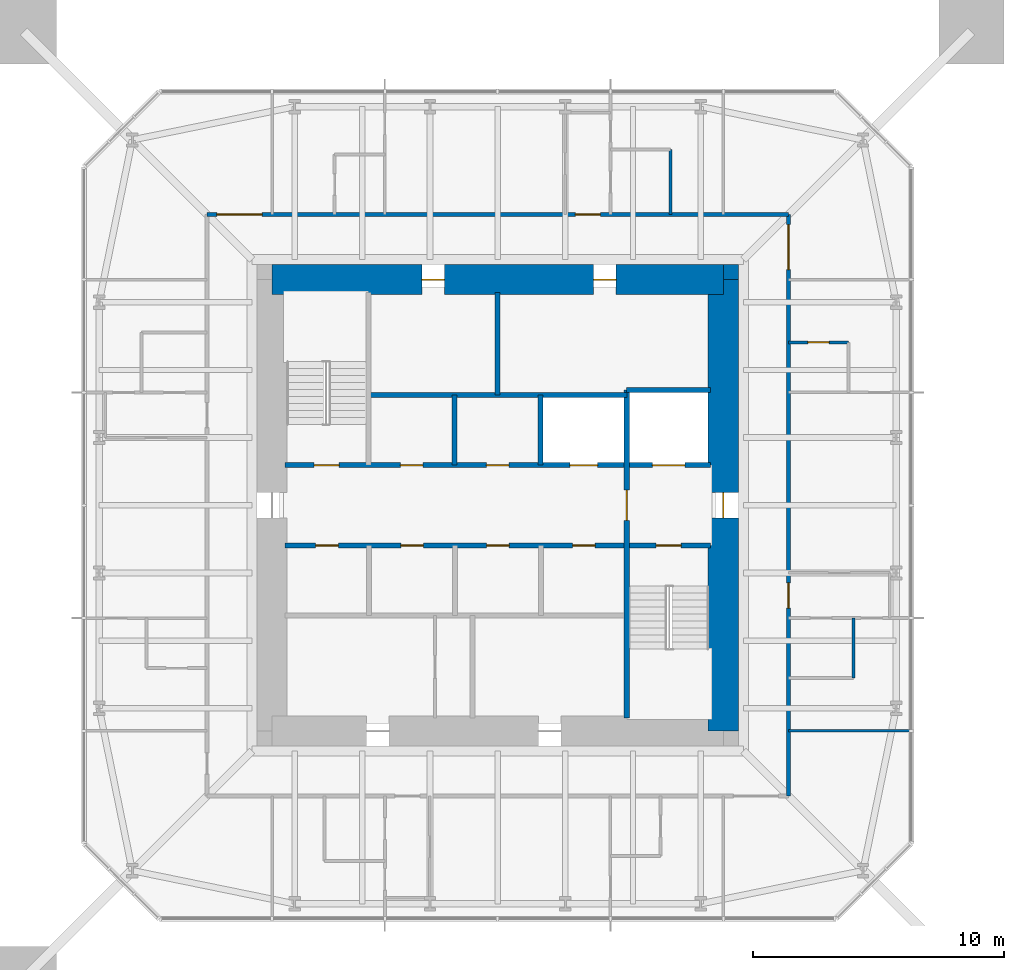
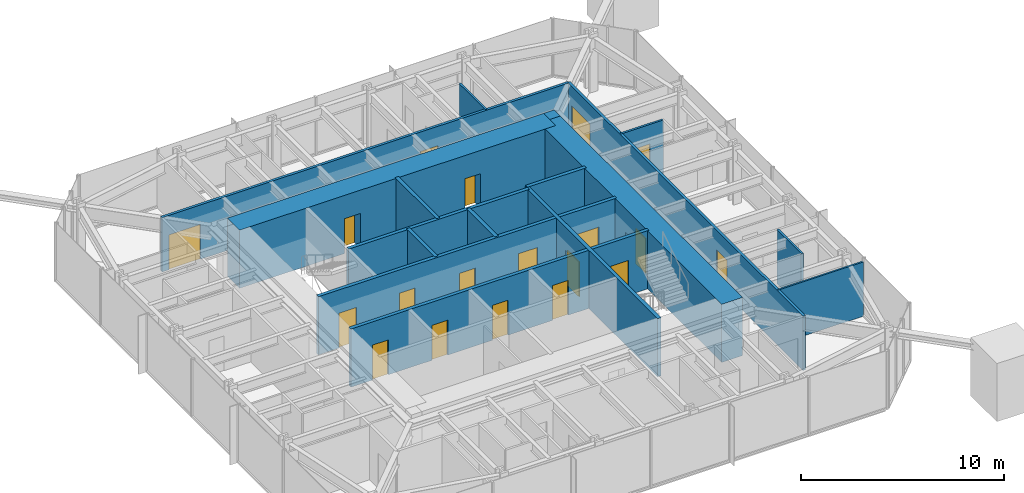
# One storey, part 7 of 9: 19 doors, 17 walls, 19 openings.
"""IFC4 building model written with IfcOpenShell, lengths in metres."""

from ifc_helpers import new_model, si_unit, direction, frame, frame_2d, origin, place, context, subcontext, project, spatial, rectangle, extrude, material, layer, layer_set, type_object, element, fill, save


model = new_model("IFC4")

# Units and contexts
model_context = context("Model", 3, precision=1e-05, world=origin(), true_north=direction((0.0, 1.0)))
body_context = subcontext(model_context, "Body", "Model", "MODEL_VIEW")
ifc_project = project(units=[si_unit("LENGTHUNIT", "METRE"), si_unit("AREAUNIT", "SQUARE_METRE"), si_unit("VOLUMEUNIT", "CUBIC_METRE"), si_unit("PLANEANGLEUNIT", "RADIAN"), si_unit("MASSUNIT", "GRAM", prefix="KILO")], contexts=[model_context])

# Site, building, storey
site_placement = place(None, origin())
site = spatial("IfcSite", under=ifc_project, at=site_placement, CompositionType="ELEMENT")
building_placement = place(site_placement, origin())
building = spatial("IfcBuilding", under=site, at=building_placement, Name="Iwan Alto Co-Living Towers", CompositionType="ELEMENT")
storey_placement = place(building_placement, frame((0.0, 0.0, 243.0)))
storey = spatial("IfcBuildingStorey", under=building, at=storey_placement, Name="L66", CompositionType="ELEMENT", Elevation=243.0)

# Wall, openings, doors
ifc_material_1 = material(Name="Gypsum board")
ifc_layer_1 = layer(ifc_material_1, 0.02490234375, Name="Board", Category="Finish")
ifc_material_2 = material(Name="Steel ASTM A1003 ST33H cold-formed studs", Category="steel")
ifc_layer_2 = layer(ifc_material_2, 0.10009765625, Name="Studs", Category="Framing")
ifc_layer_3 = layer(ifc_material_1, 0.02490234375, Name="Board", Category="Finish")
ifc_layer_set_1 = layer_set([ifc_layer_1, ifc_layer_2, ifc_layer_3], Name="CORRIDOR WALL 150")
wall_type_1 = type_object("IfcWallType", Name="CORRIDOR WALL 150", PredefinedType="PARTITIONING", material=ifc_layer_set_1)
wall_1_placement = place(storey_placement, frame((-11.60009765625, 11.60009765625, 0.0), z_axis=(0.0, 0.0, 1.0), x_axis=(1.0, 0.0, 0.0)))
wall_1 = element("IfcWall", 1, at=wall_1_placement, inside=storey, type_object=wall_type_1, Name="Partition L66", PredefinedType="PARTITIONING", context=body_context, shape_type="SweptSolid", body=[
    extrude(rectangle(XDim=23.2001953125, YDim=0.14990234375, at=frame_2d((11.60009765625, 0.0))), origin(), (0.0, 0.0, 1.0), 3.27001953125),
])
opening_1_placement = place(wall_1_placement, frame((14.699951171875, 0.0, 0.0)))
opening_1 = element("IfcOpeningElement", 2, at=opening_1_placement, cuts=wall_1, Name="Opening D3", PredefinedType="OPENING", context=body_context, shape_type="SweptSolid", body=[
    extrude(rectangle(XDim=1.0, YDim=2.10009765625, at=frame_2d((0.5, 1.050048828125))), frame((0.0, 0.0849609375, 0.0), z_axis=(0.0, -1.0, 0.0), x_axis=(1.0, 0.0, 0.0)), (0.0, 0.0, 1.0), 0.169921875),
])
opening_2_placement = place(wall_1_placement, frame((0.39990234375, 0.0, 0.0)))
opening_2 = element("IfcOpeningElement", 3, at=opening_2_placement, cuts=wall_1, Name="Opening D9", PredefinedType="OPENING", context=body_context, shape_type="SweptSolid", body=[
    extrude(rectangle(XDim=1.800048828125, YDim=2.10009765625, at=frame_2d((0.89990234375, 1.050048828125))), frame((0.0, 0.0849609375, 0.0), z_axis=(0.0, -1.0, 0.0), x_axis=(1.0, 0.0, 0.0)), (0.0, 0.0, 1.0), 0.169921875),
])
ifc_material_3 = material(Name="Steel frame with timber leaf", Category="steel")
door_type_1 = type_object("IfcDoorType", Name="FLAT ENTRANCE DOOR FD30S 1000X2100", OperationType="SINGLE_SWING_LEFT", PredefinedType="DOOR", material=ifc_material_3)
door_1_placement = place(opening_1_placement, origin())
door_1 = element("IfcDoor", 4, at=door_1_placement, inside=storey, type_object=door_type_1, Name="Apartment foyer door L66", OperationType="SINGLE_SWING_LEFT", OverallHeight=2.10009765625, OverallWidth=1.0, PredefinedType="DOOR", context=body_context, shape_type="SweptSolid", body=[
    extrude(rectangle(XDim=1.0, YDim=2.10009765625, at=frame_2d((0.5, 1.050048828125))), frame((0.0, 0.02490234375, 0.0), z_axis=(0.0, -1.0, 0.0), x_axis=(1.0, 0.0, 0.0)), (0.0, 0.0, 1.0), 0.050048828125),
])
fill(opening_1, door_1)
ifc_material_4 = material(Name="Steel frame with timber leaf", Category="steel")
door_type_2 = type_object("IfcDoorType", Name="LOUNGE DOOR FD30S 1800X2100", OperationType="DOUBLE_DOOR_SINGLE_SWING", PredefinedType="DOOR", material=ifc_material_4)
door_2_placement = place(opening_2_placement, origin())
door_2 = element("IfcDoor", 5, at=door_2_placement, inside=storey, type_object=door_type_2, Name="Courtyard lounge door L66", OperationType="DOUBLE_DOOR_SINGLE_SWING", OverallHeight=2.10009765625, OverallWidth=1.800048828125, PredefinedType="DOOR", context=body_context, shape_type="SweptSolid", body=[
    extrude(rectangle(XDim=1.800048828125, YDim=2.10009765625, at=frame_2d((0.89990234375, 1.050048828125))), frame((0.0, 0.02490234375, 0.0), z_axis=(0.0, -1.0, 0.0), x_axis=(1.0, 0.0, 0.0)), (0.0, 0.0, 1.0), 0.050048828125),
])
fill(opening_2, door_2)

wall_2_placement = place(storey_placement, frame((11.60009765625, -11.60009765625, 0.0), z_axis=(0.0, 0.0, 1.0), x_axis=(0.0, 1.0, 0.0)))
wall_2 = element("IfcWall", 6, at=wall_2_placement, inside=storey, type_object=wall_type_1, Name="Partition L66", PredefinedType="PARTITIONING", context=body_context, shape_type="SweptSolid", body=[
    extrude(rectangle(XDim=23.2001953125, YDim=0.14990234375, at=frame_2d((11.60009765625, 0.0))), origin(), (0.0, 0.0, 1.0), 3.27001953125),
])
opening_3_placement = place(wall_2_placement, frame((7.5, 0.0, 0.0)))
opening_3 = element("IfcOpeningElement", 7, at=opening_3_placement, cuts=wall_2, Name="Opening D3", PredefinedType="OPENING", context=body_context, shape_type="SweptSolid", body=[
    extrude(rectangle(XDim=1.0, YDim=2.10009765625, at=frame_2d((0.5, 1.050048828125))), frame((0.0, 0.0849609375, 0.0), z_axis=(0.0, -1.0, 0.0), x_axis=(1.0, 0.0, 0.0)), (0.0, 0.0, 1.0), 0.169921875),
])
opening_4_placement = place(wall_2_placement, frame((21.0, 0.0, 0.0)))
opening_4 = element("IfcOpeningElement", 8, at=opening_4_placement, cuts=wall_2, Name="Opening D9", PredefinedType="OPENING", context=body_context, shape_type="SweptSolid", body=[
    extrude(rectangle(XDim=1.800048828125, YDim=2.10009765625, at=frame_2d((0.89990234375, 1.050048828125))), frame((0.0, 0.0849609375, 0.0), z_axis=(0.0, -1.0, 0.0), x_axis=(1.0, 0.0, 0.0)), (0.0, 0.0, 1.0), 0.169921875),
])
door_3_placement = place(opening_3_placement, frame((1.0, 0.0, 0.0), z_axis=(0.0, 0.0, 1.0), x_axis=(-1.0, 0.0, 0.0)))
door_3 = element("IfcDoor", 9, at=door_3_placement, inside=storey, type_object=door_type_1, Name="Apartment foyer door L66", OperationType="SINGLE_SWING_RIGHT", OverallHeight=2.10009765625, OverallWidth=1.0, PredefinedType="DOOR", context=body_context, shape_type="SweptSolid", body=[
    extrude(rectangle(XDim=1.0, YDim=2.10009765625, at=frame_2d((0.5, 1.050048828125))), frame((0.0, 0.02490234375, 0.0), z_axis=(0.0, -1.0, 0.0), x_axis=(1.0, 0.0, 0.0)), (0.0, 0.0, 1.0), 0.050048828125),
])
fill(opening_3, door_3)
door_4_placement = place(opening_4_placement, frame((1.800048828125, 0.0, 0.0), z_axis=(0.0, 0.0, 1.0), x_axis=(-1.0, 0.0, 0.0)))
door_4 = element("IfcDoor", 10, at=door_4_placement, inside=storey, type_object=door_type_2, Name="Study lounge door L66", OperationType="DOUBLE_DOOR_SINGLE_SWING", OverallHeight=2.10009765625, OverallWidth=1.800048828125, PredefinedType="DOOR", context=body_context, shape_type="SweptSolid", body=[
    extrude(rectangle(XDim=1.800048828125, YDim=2.10009765625, at=frame_2d((0.89990234375, 1.050048828125))), frame((0.0, 0.02490234375, 0.0), z_axis=(0.0, -1.0, 0.0), x_axis=(1.0, 0.0, 0.0)), (0.0, 0.0, 1.0), 0.050048828125),
])
fill(opening_4, door_4)

# Wall
ifc_layer_4 = layer(ifc_material_1, 0.012451171875, Name="Board", Category="Finish")
ifc_layer_5 = layer(ifc_material_2, 0.074951171875, Name="Studs", Category="Framing")
ifc_layer_6 = layer(ifc_material_1, 0.012451171875, Name="Board", Category="Finish")
ifc_layer_set_2 = layer_set([ifc_layer_4, ifc_layer_5, ifc_layer_6], Name="PARTITION 100")
wall_type_2 = type_object("IfcWallType", Name="PARTITION 100", PredefinedType="PARTITIONING", material=ifc_layer_set_2)
wall_3_placement = place(storey_placement, frame((11.60009765625, -9.0, 0.0), z_axis=(0.0, 0.0, 1.0), x_axis=(1.0, 0.0, 0.0)))
element("IfcWall", 11, at=wall_3_placement, inside=storey, type_object=wall_type_2, Name="Partition L66", PredefinedType="PARTITIONING", context=body_context, shape_type="SweptSolid", body=[
    extrude(rectangle(XDim=4.83984375, YDim=0.10009765625, at=frame_2d((2.419921875, 0.0))), origin(), (0.0, 0.0, 1.0), 3.27001953125),
])

# Wall, openings, doors
ifc_material_5 = material(Name="Concrete f'c 70 MPa", Category="concrete")
ifc_layer_7 = layer(ifc_material_5, 0.199951171875)
ifc_layer_set_3 = layer_set([ifc_layer_7], Name="SHAFT WALL 200")
wall_type_3 = type_object("IfcWallType", Name="SHAFT WALL 200", PredefinedType="SOLIDWALL", material=ifc_layer_set_3)
wall_4_placement = place(storey_placement, frame((-8.489990234375, -1.60009765625, 0.0), z_axis=(0.0, 0.0, 1.0), x_axis=(1.0, 0.0, 0.0)))
wall_4 = element("IfcWall", 12, at=wall_4_placement, inside=storey, type_object=wall_type_3, Name="Shaft wall L66", PredefinedType="SOLIDWALL", context=body_context, shape_type="SweptSolid", body=[
    extrude(rectangle(XDim=16.97998046875, YDim=0.199951171875, at=frame_2d((8.489990234375, 0.0))), origin(), (0.0, 0.0, 1.0), 3.5),
])
opening_5_placement = place(wall_4_placement, frame((14.81005859375, 0.0, 0.0)))
opening_5 = element("IfcOpeningElement", 13, at=opening_5_placement, cuts=wall_4, Name="Opening D5", PredefinedType="OPENING", context=body_context, shape_type="SweptSolid", body=[
    extrude(rectangle(XDim=1.0, YDim=2.10009765625, at=frame_2d((0.5, 1.050048828125))), frame((0.0, 0.10986328125, 0.0), z_axis=(0.0, -1.0, 0.0), x_axis=(1.0, 0.0, 0.0)), (0.0, 0.0, 1.0), 0.219970703125),
])
opening_6_placement = place(wall_4_placement, frame((1.23193359375, 0.0, 0.0)))
opening_6 = element("IfcOpeningElement", 14, at=opening_6_placement, cuts=wall_4, Name="Opening D15", PredefinedType="OPENING", context=body_context, shape_type="SweptSolid", body=[
    extrude(rectangle(XDim=0.89990234375, YDim=2.10009765625, at=frame_2d((0.449951171875, 1.050048828125))), frame((0.0, 0.10986328125, 0.0), z_axis=(0.0, -1.0, 0.0), x_axis=(1.0, 0.0, 0.0)), (0.0, 0.0, 1.0), 0.219970703125),
])
opening_7_placement = place(wall_4_placement, frame((4.626953125, 0.0, 0.0)))
opening_7 = element("IfcOpeningElement", 15, at=opening_7_placement, cuts=wall_4, Name="Opening D15", PredefinedType="OPENING", context=body_context, shape_type="SweptSolid", body=[
    extrude(rectangle(XDim=0.89990234375, YDim=2.10009765625, at=frame_2d((0.449951171875, 1.050048828125))), frame((0.0, 0.10986328125, 0.0), z_axis=(0.0, -1.0, 0.0), x_axis=(1.0, 0.0, 0.0)), (0.0, 0.0, 1.0), 0.219970703125),
])
opening_8_placement = place(wall_4_placement, frame((8.052001953125, 0.0, 0.0)))
opening_8 = element("IfcOpeningElement", 16, at=opening_8_placement, cuts=wall_4, Name="Opening D15", PredefinedType="OPENING", context=body_context, shape_type="SweptSolid", body=[
    extrude(rectangle(XDim=0.89990234375, YDim=2.10009765625, at=frame_2d((0.449951171875, 1.050048828125))), frame((0.0, 0.10986328125, 0.0), z_axis=(0.0, -1.0, 0.0), x_axis=(1.0, 0.0, 0.0)), (0.0, 0.0, 1.0), 0.219970703125),
])
opening_9_placement = place(wall_4_placement, frame((11.47802734375, 0.0, 0.0)))
opening_9 = element("IfcOpeningElement", 17, at=opening_9_placement, cuts=wall_4, Name="Opening D15", PredefinedType="OPENING", context=body_context, shape_type="SweptSolid", body=[
    extrude(rectangle(XDim=0.89990234375, YDim=2.10009765625, at=frame_2d((0.449951171875, 1.050048828125))), frame((0.0, 0.10986328125, 0.0), z_axis=(0.0, -1.0, 0.0), x_axis=(1.0, 0.0, 0.0)), (0.0, 0.0, 1.0), 0.219970703125),
])
ifc_material_6 = material(Name="Steel frame with timber leaf", Category="steel")
door_type_3 = type_object("IfcDoorType", Name="CORE ROOM DOOR FD60S 900X2100", OperationType="SINGLE_SWING_LEFT", PredefinedType="DOOR", material=ifc_material_6)
door_5_placement = place(opening_6_placement, frame((0.89990234375, 0.0, 0.0), z_axis=(0.0, 0.0, 1.0), x_axis=(-1.0, 0.0, 0.0)))
door_5 = element("IfcDoor", 18, at=door_5_placement, inside=storey, type_object=door_type_3, Name="Guest pantry door L66", OperationType="SINGLE_SWING_LEFT", OverallHeight=2.10009765625, OverallWidth=0.89990234375, PredefinedType="DOOR", context=body_context, shape_type="SweptSolid", body=[
    extrude(rectangle(XDim=0.89990234375, YDim=2.10009765625, at=frame_2d((0.449951171875, 1.050048828125))), frame((0.0, 0.02490234375, 0.0), z_axis=(0.0, -1.0, 0.0), x_axis=(1.0, 0.0, 0.0)), (0.0, 0.0, 1.0), 0.050048828125),
])
fill(opening_6, door_5)
door_6_placement = place(opening_7_placement, frame((0.89990234375, 0.0, 0.0), z_axis=(0.0, 0.0, 1.0), x_axis=(-1.0, 0.0, 0.0)))
door_6 = element("IfcDoor", 19, at=door_6_placement, inside=storey, type_object=door_type_3, Name="Cleaner's store door L66", OperationType="SINGLE_SWING_RIGHT", OverallHeight=2.10009765625, OverallWidth=0.89990234375, PredefinedType="DOOR", context=body_context, shape_type="SweptSolid", body=[
    extrude(rectangle(XDim=0.89990234375, YDim=2.10009765625, at=frame_2d((0.449951171875, 1.050048828125))), frame((0.0, 0.02490234375, 0.0), z_axis=(0.0, -1.0, 0.0), x_axis=(1.0, 0.0, 0.0)), (0.0, 0.0, 1.0), 0.050048828125),
])
fill(opening_7, door_6)
door_7_placement = place(opening_8_placement, frame((0.89990234375, 0.0, 0.0), z_axis=(0.0, 0.0, 1.0), x_axis=(-1.0, 0.0, 0.0)))
door_7 = element("IfcDoor", 20, at=door_7_placement, inside=storey, type_object=door_type_3, Name="Guest pantry door L66", OperationType="SINGLE_SWING_RIGHT", OverallHeight=2.10009765625, OverallWidth=0.89990234375, PredefinedType="DOOR", context=body_context, shape_type="SweptSolid", body=[
    extrude(rectangle(XDim=0.89990234375, YDim=2.10009765625, at=frame_2d((0.449951171875, 1.050048828125))), frame((0.0, 0.02490234375, 0.0), z_axis=(0.0, -1.0, 0.0), x_axis=(1.0, 0.0, 0.0)), (0.0, 0.0, 1.0), 0.050048828125),
])
fill(opening_8, door_7)
door_8_placement = place(opening_9_placement, frame((0.89990234375, 0.0, 0.0), z_axis=(0.0, 0.0, 1.0), x_axis=(-1.0, 0.0, 0.0)))
door_8 = element("IfcDoor", 21, at=door_8_placement, inside=storey, type_object=door_type_3, Name="Housekeeping store door L66", OperationType="SINGLE_SWING_RIGHT", OverallHeight=2.10009765625, OverallWidth=0.89990234375, PredefinedType="DOOR", context=body_context, shape_type="SweptSolid", body=[
    extrude(rectangle(XDim=0.89990234375, YDim=2.10009765625, at=frame_2d((0.449951171875, 1.050048828125))), frame((0.0, 0.02490234375, 0.0), z_axis=(0.0, -1.0, 0.0), x_axis=(1.0, 0.0, 0.0)), (0.0, 0.0, 1.0), 0.050048828125),
])
fill(opening_9, door_8)
ifc_material_7 = material(Name="Steel frame with timber leaf", Category="steel")
door_type_4 = type_object("IfcDoorType", Name="STAIR DOOR FD120S 1000X2100", OperationType="SINGLE_SWING_LEFT", PredefinedType="DOOR", material=ifc_material_7)
door_9_placement = place(opening_5_placement, frame((1.0, 0.0, 0.0), z_axis=(0.0, 0.0, 1.0), x_axis=(-1.0, 0.0, 0.0)))
door_9 = element("IfcDoor", 22, at=door_9_placement, inside=storey, type_object=door_type_4, Name="Stair S2 door L66", OperationType="SINGLE_SWING_RIGHT", OverallHeight=2.10009765625, OverallWidth=1.0, PredefinedType="DOOR", context=body_context, shape_type="SweptSolid", body=[
    extrude(rectangle(XDim=1.0, YDim=2.10009765625, at=frame_2d((0.5, 1.050048828125))), frame((0.0, 0.02490234375, 0.0), z_axis=(0.0, -1.0, 0.0), x_axis=(1.0, 0.0, 0.0)), (0.0, 0.0, 1.0), 0.050048828125),
])
fill(opening_5, door_9)

wall_5_placement = place(storey_placement, frame((-8.489990234375, 1.60009765625, 0.0), z_axis=(0.0, 0.0, 1.0), x_axis=(1.0, 0.0, 0.0)))
wall_5 = element("IfcWall", 23, at=wall_5_placement, inside=storey, type_object=wall_type_3, Name="Shaft wall L66", PredefinedType="SOLIDWALL", context=body_context, shape_type="SweptSolid", body=[
    extrude(rectangle(XDim=16.97998046875, YDim=0.199951171875, at=frame_2d((8.489990234375, 0.0))), origin(), (0.0, 0.0, 1.0), 3.5),
])
opening_10_placement = place(wall_5_placement, frame((1.169921875, 0.0, 0.0)))
opening_10 = element("IfcOpeningElement", 24, at=opening_10_placement, cuts=wall_5, Name="Opening D5", PredefinedType="OPENING", context=body_context, shape_type="SweptSolid", body=[
    extrude(rectangle(XDim=1.0, YDim=2.10009765625, at=frame_2d((0.5, 1.050048828125))), frame((0.0, 0.10986328125, 0.0), z_axis=(0.0, -1.0, 0.0), x_axis=(1.0, 0.0, 0.0)), (0.0, 0.0, 1.0), 0.219970703125),
])
opening_11_placement = place(wall_5_placement, frame((4.60595703125, 0.0, 0.0)))
opening_11 = element("IfcOpeningElement", 25, at=opening_11_placement, cuts=wall_5, Name="Opening D15", PredefinedType="OPENING", context=body_context, shape_type="SweptSolid", body=[
    extrude(rectangle(XDim=0.89990234375, YDim=2.10009765625, at=frame_2d((0.449951171875, 1.050048828125))), frame((0.0, 0.10986328125, 0.0), z_axis=(0.0, -1.0, 0.0), x_axis=(1.0, 0.0, 0.0)), (0.0, 0.0, 1.0), 0.219970703125),
])
opening_12_placement = place(wall_5_placement, frame((8.0400390625, 0.0, 0.0)))
opening_12 = element("IfcOpeningElement", 26, at=opening_12_placement, cuts=wall_5, Name="Opening D15", PredefinedType="OPENING", context=body_context, shape_type="SweptSolid", body=[
    extrude(rectangle(XDim=0.89990234375, YDim=2.10009765625, at=frame_2d((0.449951171875, 1.050048828125))), frame((0.0, 0.10986328125, 0.0), z_axis=(0.0, -1.0, 0.0), x_axis=(1.0, 0.0, 0.0)), (0.0, 0.0, 1.0), 0.219970703125),
])
opening_13_placement = place(wall_5_placement, frame((11.3740234375, 0.0, 0.0)))
opening_13 = element("IfcOpeningElement", 27, at=opening_13_placement, cuts=wall_5, Name="Opening LD", PredefinedType="OPENING", context=body_context, shape_type="SweptSolid", body=[
    extrude(rectangle(XDim=1.10009765625, YDim=2.10009765625, at=frame_2d((0.550048828125, 1.050048828125))), frame((0.0, 0.10986328125, 0.0), z_axis=(0.0, -1.0, 0.0), x_axis=(1.0, 0.0, 0.0)), (0.0, 0.0, 1.0), 0.219970703125),
])
opening_14_placement = place(wall_5_placement, frame((14.659912109375, 0.0, 0.0)))
opening_14 = element("IfcOpeningElement", 28, at=opening_14_placement, cuts=wall_5, Name="Opening LD2", PredefinedType="OPENING", context=body_context, shape_type="SweptSolid", body=[
    extrude(rectangle(XDim=1.300048828125, YDim=2.10009765625, at=frame_2d((0.64990234375, 1.050048828125))), frame((0.0, 0.10986328125, 0.0), z_axis=(0.0, -1.0, 0.0), x_axis=(1.0, 0.0, 0.0)), (0.0, 0.0, 1.0), 0.219970703125),
])
door_10_placement = place(opening_11_placement, origin())
door_10 = element("IfcDoor", 29, at=door_10_placement, inside=storey, type_object=door_type_3, Name="Vending and ice room door L66", OperationType="SINGLE_SWING_LEFT", OverallHeight=2.10009765625, OverallWidth=0.89990234375, PredefinedType="DOOR", context=body_context, shape_type="SweptSolid", body=[
    extrude(rectangle(XDim=0.89990234375, YDim=2.10009765625, at=frame_2d((0.449951171875, 1.050048828125))), frame((0.0, 0.02490234375, 0.0), z_axis=(0.0, -1.0, 0.0), x_axis=(1.0, 0.0, 0.0)), (0.0, 0.0, 1.0), 0.050048828125),
])
fill(opening_11, door_10)
door_11_placement = place(opening_12_placement, origin())
door_11 = element("IfcDoor", 30, at=door_11_placement, inside=storey, type_object=door_type_3, Name="Cleaner's store door L66", OperationType="SINGLE_SWING_LEFT", OverallHeight=2.10009765625, OverallWidth=0.89990234375, PredefinedType="DOOR", context=body_context, shape_type="SweptSolid", body=[
    extrude(rectangle(XDim=0.89990234375, YDim=2.10009765625, at=frame_2d((0.449951171875, 1.050048828125))), frame((0.0, 0.02490234375, 0.0), z_axis=(0.0, -1.0, 0.0), x_axis=(1.0, 0.0, 0.0)), (0.0, 0.0, 1.0), 0.050048828125),
])
fill(opening_12, door_11)
ifc_material_8 = material(Name="Steel frame with timber leaf", Category="steel")
door_type_5 = type_object("IfcDoorType", Name="LIFT LANDING DOOR 1100X2100", OperationType="DOUBLE_DOOR_SLIDING", PredefinedType="DOOR", material=ifc_material_8)
door_12_placement = place(opening_13_placement, origin())
door_12 = element("IfcDoor", 31, at=door_12_placement, inside=storey, type_object=door_type_5, Name="Lift P4-3 landing door L66", OperationType="DOUBLE_DOOR_SLIDING", OverallHeight=2.10009765625, OverallWidth=1.10009765625, PredefinedType="DOOR", context=body_context, shape_type="SweptSolid", body=[
    extrude(rectangle(XDim=1.10009765625, YDim=2.10009765625, at=frame_2d((0.550048828125, 1.050048828125))), frame((0.0, 0.02490234375, 0.0), z_axis=(0.0, -1.0, 0.0), x_axis=(1.0, 0.0, 0.0)), (0.0, 0.0, 1.0), 0.050048828125),
])
fill(opening_13, door_12)
ifc_material_9 = material(Name="Steel frame with timber leaf", Category="steel")
door_type_6 = type_object("IfcDoorType", Name="LIFT LANDING DOOR 1300X2100", OperationType="SLIDING_TO_LEFT", PredefinedType="DOOR", material=ifc_material_9)
door_13_placement = place(opening_14_placement, origin())
door_13 = element("IfcDoor", 32, at=door_13_placement, inside=storey, type_object=door_type_6, Name="Lift FL1 landing door L66", OperationType="SLIDING_TO_LEFT", OverallHeight=2.10009765625, OverallWidth=1.300048828125, PredefinedType="DOOR", context=body_context, shape_type="SweptSolid", body=[
    extrude(rectangle(XDim=1.300048828125, YDim=2.10009765625, at=frame_2d((0.64990234375, 1.050048828125))), frame((0.0, 0.02490234375, 0.0), z_axis=(0.0, -1.0, 0.0), x_axis=(1.0, 0.0, 0.0)), (0.0, 0.0, 1.0), 0.050048828125),
])
fill(opening_14, door_13)
door_14_placement = place(opening_10_placement, origin())
door_14 = element("IfcDoor", 33, at=door_14_placement, inside=storey, type_object=door_type_4, Name="Stair S1 door L66", OperationType="SINGLE_SWING_RIGHT", OverallHeight=2.10009765625, OverallWidth=1.0, PredefinedType="DOOR", context=body_context, shape_type="SweptSolid", body=[
    extrude(rectangle(XDim=1.0, YDim=2.10009765625, at=frame_2d((0.5, 1.050048828125))), frame((0.0, 0.02490234375, 0.0), z_axis=(0.0, -1.0, 0.0), x_axis=(1.0, 0.0, 0.0)), (0.0, 0.0, 1.0), 0.050048828125),
])
fill(opening_10, door_14)

# Walls
wall_6_placement = place(storey_placement, frame((-5.14990234375, 4.39990234375, 0.0), z_axis=(0.0, 0.0, 1.0), x_axis=(1.0, 0.0, 0.0)))
element("IfcWall", 34, at=wall_6_placement, inside=storey, type_object=wall_type_3, Name="Shaft wall L66", PredefinedType="SOLIDWALL", context=body_context, shape_type="SweptSolid", body=[
    extrude(rectangle(XDim=10.2998046875, YDim=0.199951171875, at=frame_2d((5.14990234375, 0.0))), origin(), (0.0, 0.0, 1.0), 3.5),
])
wall_7_placement = place(storey_placement, frame((5.14990234375, 4.60009765625, 0.0), z_axis=(0.0, 0.0, 1.0), x_axis=(1.0, 0.0, 0.0)))
element("IfcWall", 35, at=wall_7_placement, inside=storey, type_object=wall_type_3, Name="Shaft wall L66", PredefinedType="SOLIDWALL", context=body_context, shape_type="SweptSolid", body=[
    extrude(rectangle(XDim=3.340087890625, YDim=0.199951171875, at=frame_2d((1.669921875, 0.0))), origin(), (0.0, 0.0, 1.0), 3.5),
])

# Wall, opening, door
wall_8_placement = place(storey_placement, frame((5.14990234375, -8.489990234375, 0.0), z_axis=(0.0, 0.0, 1.0), x_axis=(0.0, 1.0, 0.0)))
wall_8 = element("IfcWall", 36, at=wall_8_placement, inside=storey, type_object=wall_type_3, Name="Shaft wall L66", PredefinedType="SOLIDWALL", context=body_context, shape_type="SweptSolid", body=[
    extrude(rectangle(XDim=13.090087890625, YDim=0.199951171875, at=frame_2d((6.544921875, 0.0))), origin(), (0.0, 0.0, 1.0), 3.5),
])
opening_15_placement = place(wall_8_placement, frame((7.889892578125, 0.0, 0.0)))
opening_15 = element("IfcOpeningElement", 37, at=opening_15_placement, cuts=wall_8, Name="Opening D6", PredefinedType="OPENING", context=body_context, shape_type="SweptSolid", body=[
    extrude(rectangle(XDim=1.199951171875, YDim=2.10009765625, at=frame_2d((0.60009765625, 1.050048828125))), frame((0.0, 0.10986328125, 0.0), z_axis=(0.0, -1.0, 0.0), x_axis=(1.0, 0.0, 0.0)), (0.0, 0.0, 1.0), 0.219970703125),
])
ifc_material_10 = material(Name="Steel frame with timber leaf", Category="steel")
door_type_7 = type_object("IfcDoorType", Name="LOBBY DOOR FD120S 1200X2100", OperationType="SINGLE_SWING_LEFT", PredefinedType="DOOR", material=ifc_material_10)
door_15_placement = place(opening_15_placement, frame((1.199951171875, 0.0, 0.0), z_axis=(0.0, 0.0, 1.0), x_axis=(-1.0, 0.0, 0.0)))
door_15 = element("IfcDoor", 38, at=door_15_placement, inside=storey, type_object=door_type_7, Name="Firefighting lobby door L66", OperationType="SINGLE_SWING_RIGHT", OverallHeight=2.10009765625, OverallWidth=1.199951171875, PredefinedType="DOOR", context=body_context, shape_type="SweptSolid", body=[
    extrude(rectangle(XDim=1.199951171875, YDim=2.10009765625, at=frame_2d((0.60009765625, 1.050048828125))), frame((0.0, 0.02490234375, 0.0), z_axis=(0.0, -1.0, 0.0), x_axis=(1.0, 0.0, 0.0)), (0.0, 0.0, 1.0), 0.050048828125),
])
fill(opening_15, door_15)

# Walls
wall_9_placement = place(storey_placement, frame((1.717041015625, 1.60009765625, 0.0), z_axis=(0.0, 0.0, 1.0), x_axis=(0.0, 1.0, 0.0)))
element("IfcWall", 39, at=wall_9_placement, inside=storey, type_object=wall_type_3, Name="Shaft wall L66", PredefinedType="SOLIDWALL", context=body_context, shape_type="SweptSolid", body=[
    extrude(rectangle(XDim=2.7998046875, YDim=0.199951171875, at=frame_2d((1.39990234375, 0.0))), origin(), (0.0, 0.0, 1.0), 3.5),
])
wall_10_placement = place(storey_placement, frame((0.0, 4.39990234375, 0.0), z_axis=(0.0, 0.0, 1.0), x_axis=(0.0, 1.0, 0.0)))
element("IfcWall", 40, at=wall_10_placement, inside=storey, type_object=wall_type_3, Name="Shaft wall L66", PredefinedType="SOLIDWALL", context=body_context, shape_type="SweptSolid", body=[
    extrude(rectangle(XDim=4.090087890625, YDim=0.199951171875, at=frame_2d((2.044921875, 0.0))), origin(), (0.0, 0.0, 1.0), 3.5),
])
wall_11_placement = place(storey_placement, frame((-1.717041015625, 1.60009765625, 0.0), z_axis=(0.0, 0.0, 1.0), x_axis=(0.0, 1.0, 0.0)))
element("IfcWall", 41, at=wall_11_placement, inside=storey, type_object=wall_type_3, Name="Shaft wall L66", PredefinedType="SOLIDWALL", context=body_context, shape_type="SweptSolid", body=[
    extrude(rectangle(XDim=2.7998046875, YDim=0.199951171875, at=frame_2d((1.39990234375, 0.0))), origin(), (0.0, 0.0, 1.0), 3.5),
])
ifc_material_11 = material(Name="Concrete f'c 70 MPa", Category="concrete")
ifc_layer_8 = layer(ifc_material_11, 0.60009765625)
ifc_layer_set_4 = layer_set([ifc_layer_8], Name="T1 CORE CORNER FILL 600")
wall_type_4 = type_object("IfcWallType", Name="T1 CORE CORNER FILL 600", PredefinedType="SOLIDWALL", material=ifc_layer_set_4)
wall_12_placement = place(storey_placement, frame((9.0, 9.300048828125, 0.0), z_axis=(0.0, 0.0, 1.0), x_axis=(1.0, 0.0, 0.0)))
element("IfcWall", 42, at=wall_12_placement, inside=storey, type_object=wall_type_4, Name="T1 core corner NE L66", PredefinedType="SOLIDWALL", context=body_context, shape_type="SweptSolid", body=[
    extrude(rectangle(XDim=0.60009765625, YDim=0.60009765625, at=frame_2d((0.300048828125, 0.0))), origin(), (0.0, 0.0, 1.0), 3.5),
])

# Wall, openings, doors
ifc_material_12 = material(Name="Concrete f'c 70 MPa", Category="concrete")
ifc_layer_9 = layer(ifc_material_12, 1.199951171875)
ifc_layer_set_5 = layer_set([ifc_layer_9], Name="T1 CORE WALL 1200")
wall_type_5 = type_object("IfcWallType", Name="T1 CORE WALL 1200", PredefinedType="SHEAR", material=ifc_layer_set_5)
wall_13_placement = place(storey_placement, frame((9.0, 9.0, 0.0), z_axis=(0.0, 0.0, 1.0), x_axis=(-1.0, 0.0, 0.0)))
wall_13 = element("IfcWall", 43, at=wall_13_placement, inside=storey, type_object=wall_type_5, Name="T1 core wall N L66", PredefinedType="SHEAR", context=body_context, shape_type="SweptSolid", body=[
    extrude(rectangle(XDim=18.0, YDim=1.199951171875, at=frame_2d((9.0, 0.0))), origin(), (0.0, 0.0, 1.0), 3.5),
])
opening_16_placement = place(wall_13_placement, frame((11.125, 0.0, 0.0)))
opening_16 = element("IfcOpeningElement", 44, at=opening_16_placement, cuts=wall_13, Name="Opening D8", PredefinedType="OPENING", context=body_context, shape_type="SweptSolid", body=[
    extrude(rectangle(XDim=0.89990234375, YDim=2.10009765625, at=frame_2d((0.449951171875, 1.050048828125))), frame((0.0, 0.60986328125, 0.0), z_axis=(0.0, -1.0, 0.0), x_axis=(1.0, 0.0, 0.0)), (0.0, 0.0, 1.0), 1.219970703125),
])
opening_17_placement = place(wall_13_placement, frame((4.27490234375, 0.0, 0.0)))
opening_17 = element("IfcOpeningElement", 45, at=opening_17_placement, cuts=wall_13, Name="Opening D8", PredefinedType="OPENING", context=body_context, shape_type="SweptSolid", body=[
    extrude(rectangle(XDim=0.89990234375, YDim=2.10009765625, at=frame_2d((0.449951171875, 1.050048828125))), frame((0.0, 0.60986328125, 0.0), z_axis=(0.0, -1.0, 0.0), x_axis=(1.0, 0.0, 0.0)), (0.0, 0.0, 1.0), 1.219970703125),
])
ifc_material_13 = material(Name="Steel frame with timber leaf", Category="steel")
door_type_8 = type_object("IfcDoorType", Name="RISER DOOR FD120 900X2100", OperationType="SINGLE_SWING_LEFT", PredefinedType="DOOR", material=ifc_material_13)
door_16_placement = place(opening_16_placement, origin())
door_16 = element("IfcDoor", 46, at=door_16_placement, inside=storey, type_object=door_type_8, Name="Electrical riser core door L66", OperationType="SINGLE_SWING_RIGHT", OverallHeight=2.10009765625, OverallWidth=0.89990234375, PredefinedType="DOOR", context=body_context, shape_type="SweptSolid", body=[
    extrude(rectangle(XDim=0.89990234375, YDim=2.10009765625, at=frame_2d((0.449951171875, 1.050048828125))), frame((0.0, 0.02490234375, 0.0), z_axis=(0.0, -1.0, 0.0), x_axis=(1.0, 0.0, 0.0)), (0.0, 0.0, 1.0), 0.050048828125),
])
fill(opening_16, door_16)
door_17_placement = place(opening_17_placement, origin())
door_17 = element("IfcDoor", 47, at=door_17_placement, inside=storey, type_object=door_type_8, Name="Water and drainage riser core door L66", OperationType="SINGLE_SWING_RIGHT", OverallHeight=2.10009765625, OverallWidth=0.89990234375, PredefinedType="DOOR", context=body_context, shape_type="SweptSolid", body=[
    extrude(rectangle(XDim=0.89990234375, YDim=2.10009765625, at=frame_2d((0.449951171875, 1.050048828125))), frame((0.0, 0.02490234375, 0.0), z_axis=(0.0, -1.0, 0.0), x_axis=(1.0, 0.0, 0.0)), (0.0, 0.0, 1.0), 0.050048828125),
])
fill(opening_17, door_17)

# Wall, opening, door
wall_14_placement = place(storey_placement, frame((9.0, -9.0, 0.0), z_axis=(0.0, 0.0, 1.0), x_axis=(0.0, 1.0, 0.0)))
wall_14 = element("IfcWall", 48, at=wall_14_placement, inside=storey, type_object=wall_type_5, Name="T1 core wall E L66", PredefinedType="SHEAR", context=body_context, shape_type="SweptSolid", body=[
    extrude(rectangle(XDim=18.0, YDim=1.199951171875, at=frame_2d((9.0, 0.0))), origin(), (0.0, 0.0, 1.0), 3.5),
])
opening_18_placement = place(wall_14_placement, frame((8.5, 0.0, 0.0)))
opening_18 = element("IfcOpeningElement", 49, at=opening_18_placement, cuts=wall_14, Name="Opening D7", PredefinedType="OPENING", context=body_context, shape_type="SweptSolid", body=[
    extrude(rectangle(XDim=1.0, YDim=2.10009765625, at=frame_2d((0.5, 1.050048828125))), frame((0.0, 0.60986328125, 0.0), z_axis=(0.0, -1.0, 0.0), x_axis=(1.0, 0.0, 0.0)), (0.0, 0.0, 1.0), 1.219970703125),
])
ifc_material_14 = material(Name="Steel frame with timber leaf", Category="steel")
door_type_9 = type_object("IfcDoorType", Name="CORE DOOR FD120S 1000X2100", OperationType="SINGLE_SWING_LEFT", PredefinedType="DOOR", material=ifc_material_14)
door_18_placement = place(opening_18_placement, origin())
door_18 = element("IfcDoor", 50, at=door_18_placement, inside=storey, type_object=door_type_9, Name="Firefighting lobby core door L66", OperationType="SINGLE_SWING_LEFT", OverallHeight=2.10009765625, OverallWidth=1.0, PredefinedType="DOOR", context=body_context, shape_type="SweptSolid", body=[
    extrude(rectangle(XDim=1.0, YDim=2.10009765625, at=frame_2d((0.5, 1.050048828125))), frame((0.0, 0.02490234375, 0.0), z_axis=(0.0, -1.0, 0.0), x_axis=(1.0, 0.0, 0.0)), (0.0, 0.0, 1.0), 0.050048828125),
])
fill(opening_18, door_18)

ifc_material_15 = material(Name="Cement board")
ifc_layer_10 = layer(ifc_material_15, 0.012451171875, Name="Board", Category="Finish")
ifc_layer_11 = layer(ifc_material_2, 0.094970703125, Name="Studs", Category="Framing")
ifc_layer_12 = layer(ifc_material_15, 0.012451171875, Name="Board", Category="Finish")
ifc_layer_set_6 = layer_set([ifc_layer_10, ifc_layer_11, ifc_layer_12], Name="WET AREA PARTITION 120")
wall_type_6 = type_object("IfcWallType", Name="WET AREA PARTITION 120", PredefinedType="PARTITIONING", material=ifc_layer_set_6)
wall_15_placement = place(storey_placement, frame((11.60009765625, 6.5, 0.0), z_axis=(0.0, 0.0, 1.0), x_axis=(1.0, 0.0, 0.0)))
wall_15 = element("IfcWall", 51, at=wall_15_placement, inside=storey, type_object=wall_type_6, Name="Partition L66", PredefinedType="PARTITIONING", context=body_context, shape_type="SweptSolid", body=[
    extrude(rectangle(XDim=2.39990234375, YDim=0.1201171875, at=frame_2d((1.199951171875, 0.0))), origin(), (0.0, 0.0, 1.0), 3.27001953125),
])
opening_19_placement = place(wall_15_placement, frame((0.77490234375, 0.0, 0.0)))
opening_19 = element("IfcOpeningElement", 52, at=opening_19_placement, cuts=wall_15, Name="Opening D2", PredefinedType="OPENING", context=body_context, shape_type="SweptSolid", body=[
    extrude(rectangle(XDim=0.85009765625, YDim=2.10009765625, at=frame_2d((0.425048828125, 1.050048828125))), frame((0.0, 0.070068359375, 0.0), z_axis=(0.0, -1.0, 0.0), x_axis=(1.0, 0.0, 0.0)), (0.0, 0.0, 1.0), 0.14013671875),
])
ifc_material_16 = material(Name="Timber leaf in steel frame", Category="steel")
door_type_10 = type_object("IfcDoorType", Name="ROOM DOOR 850X2100", OperationType="SINGLE_SWING_LEFT", PredefinedType="DOOR", material=ifc_material_16)
door_19_placement = place(opening_19_placement, origin())
door_19 = element("IfcDoor", 53, at=door_19_placement, inside=storey, type_object=door_type_10, Name="En-suite shower room door L66", OperationType="SINGLE_SWING_LEFT", OverallHeight=2.10009765625, OverallWidth=0.85009765625, PredefinedType="DOOR", context=body_context, shape_type="SweptSolid", body=[
    extrude(rectangle(XDim=0.85009765625, YDim=2.10009765625, at=frame_2d((0.425048828125, 1.050048828125))), frame((0.0, 0.02490234375, 0.0), z_axis=(0.0, -1.0, 0.0), x_axis=(1.0, 0.0, 0.0)), (0.0, 0.0, 1.0), 0.050048828125),
])
fill(opening_19, door_19)

# Walls
wall_16_placement = place(storey_placement, frame((14.199951171875, -6.89990234375, 0.0), z_axis=(0.0, 0.0, 1.0), x_axis=(0.0, 1.0, 0.0)))
element("IfcWall", 54, at=wall_16_placement, inside=storey, type_object=wall_type_6, Name="Partition L66", PredefinedType="PARTITIONING", context=body_context, shape_type="SweptSolid", body=[
    extrude(rectangle(XDim=2.39990234375, YDim=0.1201171875, at=frame_2d((1.199951171875, 0.0))), origin(), (0.0, 0.0, 1.0), 3.27001953125),
])
wall_17_placement = place(storey_placement, frame((6.89990234375, 11.60009765625, 0.0), z_axis=(0.0, 0.0, 1.0), x_axis=(0.0, 1.0, 0.0)))
element("IfcWall", 55, at=wall_17_placement, inside=storey, type_object=wall_type_6, Name="Partition L66", PredefinedType="PARTITIONING", context=body_context, shape_type="SweptSolid", body=[
    extrude(rectangle(XDim=2.599853515625, YDim=0.1201171875, at=frame_2d((1.2998046875, 0.0))), origin(), (0.0, 0.0, 1.0), 3.27001953125),
])

save(model, "model.ifc")
